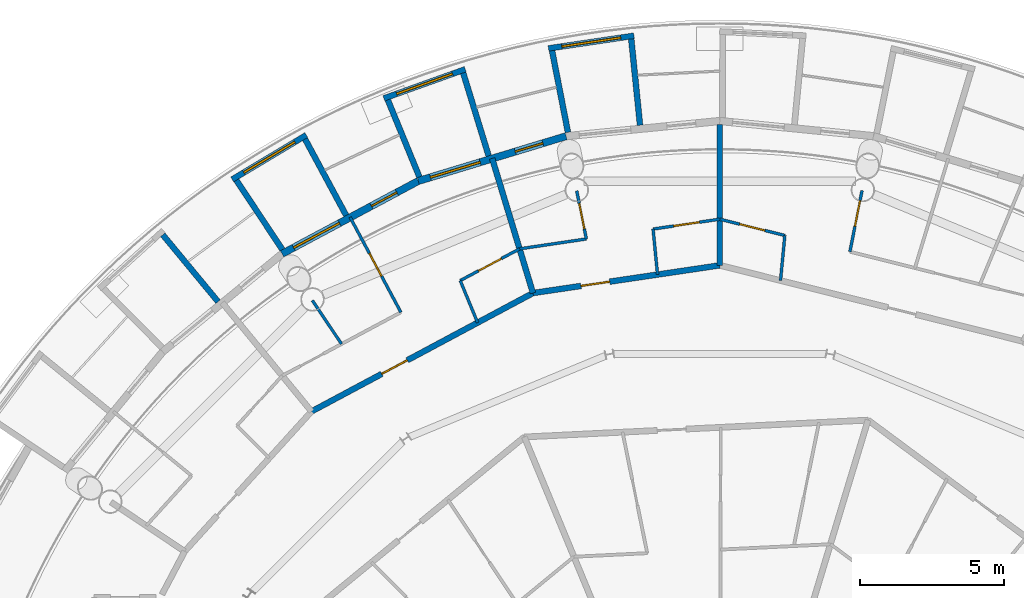
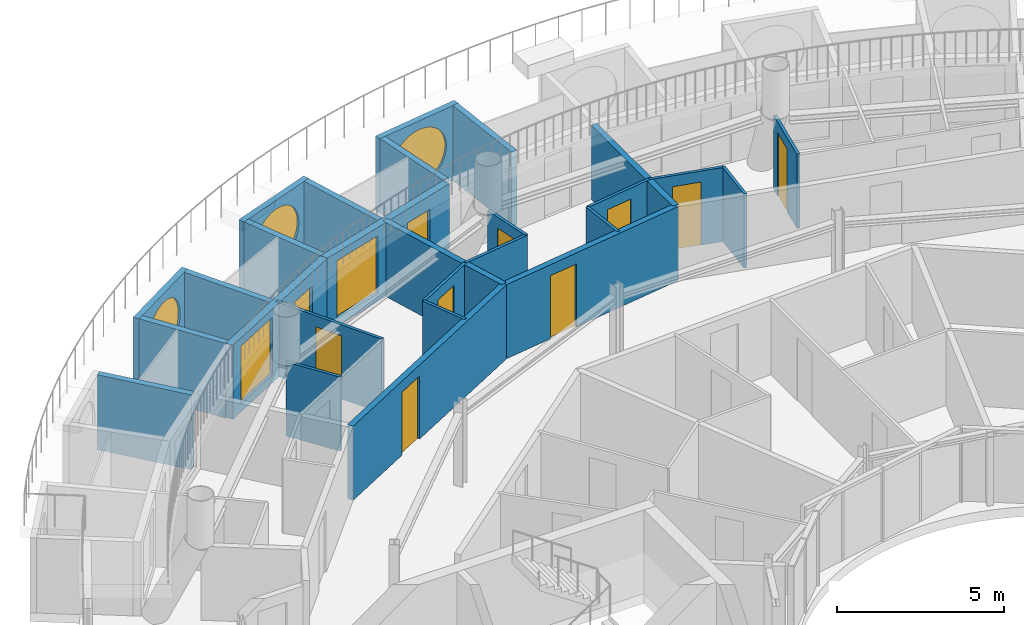
# One storey, part 21 of 29: 27 walls, 10 doors, 5 windows, 15 openings.
"""IFC4 building model written with IfcOpenShell, lengths in metres."""

from ifc_helpers import new_model, si_unit, direction, frame, frame_2d, origin, place, context, subcontext, project, spatial, rectangle, circle, extrude, material, layer, layer_set, type_object, element, fill, save


model = new_model("IFC4")

# Units and contexts
model_context = context("Model", 3, precision=1e-05, world=origin(), true_north=direction((0.0, 1.0)))
body_context = subcontext(model_context, "Body", "Model", "MODEL_VIEW")
ifc_project = project(units=[si_unit("LENGTHUNIT", "METRE"), si_unit("AREAUNIT", "SQUARE_METRE"), si_unit("VOLUMEUNIT", "CUBIC_METRE"), si_unit("PLANEANGLEUNIT", "RADIAN"), si_unit("MASSUNIT", "GRAM", prefix="KILO")], contexts=[model_context])

# Site, building, storey
site_placement = place(None, origin())
site = spatial("IfcSite", under=ifc_project, at=site_placement, CompositionType="ELEMENT")
building_placement = place(site_placement, origin())
building = spatial("IfcBuilding", under=site, at=building_placement, Name="Maasbend Ring Residences", CompositionType="ELEMENT")
storey_placement = place(building_placement, frame((0.0, 0.0, 234.050048828125)))
storey = spatial("IfcBuildingStorey", under=building, at=storey_placement, Name="L67", CompositionType="ELEMENT", Elevation=234.050048828125)

# Wall, opening, door
ifc_material_1 = material(Name="Concrete C30/37", Category="concrete")
ifc_layer_1 = layer(ifc_material_1, 0.199951171875)
ifc_layer_set_1 = layer_set([ifc_layer_1], Name="Concrete C30/37")
wall_type_1 = type_object("IfcWallType", Name="CORRIDOR WALL 200 CONCRETE", PredefinedType="PARTITIONING", material=ifc_layer_set_1)
wall_1_placement = place(storey_placement, frame((-14.14892578125, 17.236083984375, 0.0), z_axis=(0.0, 0.0, 1.0), x_axis=(0.881869539497, 0.471493494448, 0.0)))
wall_1 = element("IfcWall", 1, at=wall_1_placement, inside=storey, type_object=wall_type_1, Name="U-L67-w111", PredefinedType="PARTITIONING", context=body_context, shape_type="SweptSolid", body=[
    extrude(rectangle(XDim=8.704345703125, YDim=0.199951171875, at=frame_2d((4.35205078125, 0.0))), origin(), (0.0, 0.0, 1.0), 2.699951171875),
])
opening_1_placement = place(wall_1_placement, frame((2.764892578125, 0.0, 0.0)))
opening_1 = element("IfcOpeningElement", 2, at=opening_1_placement, cuts=wall_1, Name="Opening D-6714", PredefinedType="OPENING", context=body_context, shape_type="SweptSolid", body=[
    extrude(rectangle(XDim=1.0, YDim=2.300048828125, at=frame_2d((0.5, 1.14990234375))), frame((0.0, 0.10986328125, 0.0), z_axis=(0.0, -1.0, 0.0), x_axis=(1.0, 0.0, 0.0)), (0.0, 0.0, 1.0), 0.219970703125),
])
ifc_material_2 = material(Name="Timber, fire-rated, painted", Category="wood")
door_type_1 = type_object("IfcDoorType", Name="FLAT ENTRANCE DOOR 1000 X 2300 FIRE-RATED", OperationType="NOTDEFINED", PredefinedType="DOOR", material=ifc_material_2)
door_1_placement = place(opening_1_placement, origin())
door_1 = element("IfcDoor", 3, at=door_1_placement, inside=storey, type_object=door_type_1, Name="D-6714", OperationType="SINGLE_SWING_LEFT", OverallHeight=2.300048828125, OverallWidth=1.0, PredefinedType="DOOR", context=body_context, shape_type="SweptSolid", body=[
    extrude(rectangle(XDim=1.0, YDim=2.300048828125, at=frame_2d((0.5, 1.14990234375))), frame((0.0, 0.02490234375, 0.0), z_axis=(0.0, -1.0, 0.0), x_axis=(1.0, 0.0, 0.0)), (0.0, 0.0, 1.0), 0.050048828125),
])
fill(opening_1, door_1)

wall_2_placement = place(storey_placement, frame((-6.472900390625, 21.340087890625, 0.0), z_axis=(0.0, 0.0, 1.0), x_axis=(0.989181015112, 0.146700100005, 0.0)))
wall_2 = element("IfcWall", 4, at=wall_2_placement, inside=storey, type_object=wall_type_1, Name="U-L67-w113", PredefinedType="PARTITIONING", context=body_context, shape_type="SweptSolid", body=[
    extrude(rectangle(XDim=6.543701171875, YDim=0.199951171875, at=frame_2d((3.27197265625, 0.0))), origin(), (0.0, 0.0, 1.0), 2.699951171875),
])
opening_2_placement = place(wall_2_placement, frame((1.680908203125, 0.0, 0.0)))
opening_2 = element("IfcOpeningElement", 5, at=opening_2_placement, cuts=wall_2, Name="Opening D-6711", PredefinedType="OPENING", context=body_context, shape_type="SweptSolid", body=[
    extrude(rectangle(XDim=1.0, YDim=2.300048828125, at=frame_2d((0.5, 1.14990234375))), frame((0.0, 0.10986328125, 0.0), z_axis=(0.0, -1.0, 0.0), x_axis=(1.0, 0.0, 0.0)), (0.0, 0.0, 1.0), 0.219970703125),
])
door_2_placement = place(opening_2_placement, origin())
door_2 = element("IfcDoor", 6, at=door_2_placement, inside=storey, type_object=door_type_1, Name="D-6711", OperationType="SINGLE_SWING_LEFT", OverallHeight=2.300048828125, OverallWidth=1.0, PredefinedType="DOOR", context=body_context, shape_type="SweptSolid", body=[
    extrude(rectangle(XDim=1.0, YDim=2.300048828125, at=frame_2d((0.5, 1.14990234375))), frame((0.0, 0.02490234375, 0.0), z_axis=(0.0, -1.0, 0.0), x_axis=(1.0, 0.0, 0.0)), (0.0, 0.0, 1.0), 0.050048828125),
])
fill(opening_2, door_2)

# Wall, opening, window
ifc_material_3 = material(Name="Pale anodised aluminium panel", Category="aluminium")
ifc_layer_2 = layer(ifc_material_3, 0.199951171875)
ifc_layer_set_2 = layer_set([ifc_layer_2], Name="EW-BOX")
wall_type_2 = type_object("IfcWallType", Name="EW-BOX", PredefinedType="SOLIDWALL", material=ifc_layer_set_2)
wall_3_placement = place(storey_placement, frame((-2.97509765625, 30.25390625, -0.030029296875), z_axis=(0.0, 0.0, 1.0), x_axis=(-0.989188568008, -0.146649162704, 0.0)))
wall_3 = element("IfcWall", 7, at=wall_3_placement, inside=storey, type_object=wall_type_2, Name="Box front N12", PredefinedType="SOLIDWALL", context=body_context, shape_type="SweptSolid", body=[
    extrude(rectangle(XDim=2.993408203125, YDim=0.199951171875, at=frame_2d((1.49658203125, 0.0))), origin(), (0.0, 0.0, 1.0), 2.72998046875),
])
opening_3_placement = place(wall_3_placement, frame((0.45654296875, 0.0, 0.330078125)))
opening_3 = element("IfcOpeningElement", 8, at=opening_3_placement, cuts=wall_3, Name="Opening W-RD", PredefinedType="OPENING", context=body_context, shape_type="SweptSolid", body=[
    extrude(circle(Radius=1.0400390625, at=frame_2d((1.0400390625, 1.0400390625))), frame((0.0, 0.10986328125, 0.0), z_axis=(0.0, -1.0, 0.0), x_axis=(1.0, 0.0, 0.0)), (0.0, 0.0, 1.0), 0.219970703125),
])
ifc_material_4 = material(Name="Aluminium and clear glass", Category="aluminium")
window_type_1 = type_object("IfcWindowType", Name="W-RD", PartitioningType="SINGLE_PANEL", PredefinedType="WINDOW", material=ifc_material_4)
window_1_placement = place(opening_3_placement, origin())
window_1 = element("IfcWindow", 9, at=window_1_placement, inside=storey, type_object=window_type_1, Name="Round window N12", OverallHeight=2.080078125, OverallWidth=2.080078125, PartitioningType="SINGLE_PANEL", PredefinedType="WINDOW", context=body_context, shape_type="SweptSolid", body=[
    extrude(circle(Radius=1.0400390625, at=frame_2d((1.0400390625, 1.0400390625))), frame((0.0, 0.030029296875, 0.0), z_axis=(0.0, -1.0, 0.0), x_axis=(1.0, 0.0, 0.0)), (0.0, 0.0, 1.0), 0.06005859375),
])
fill(opening_3, window_1)

# Walls
wall_4_placement = place(storey_placement, frame((-2.763916015625, 27.153076171875, -0.030029296875), z_axis=(0.0, 0.0, 1.0), x_axis=(-0.101505487237, 0.994834979311, 0.0)))
element("IfcWall", 10, at=wall_4_placement, inside=storey, type_object=wall_type_2, Name="Box side wall N12 left", PredefinedType="SOLIDWALL", context=body_context, shape_type="SweptSolid", body=[
    extrude(rectangle(XDim=3.006591796875, YDim=0.199951171875, at=frame_2d((1.50341796875, 0.0))), origin(), (0.0, 0.0, 1.0), 2.72998046875),
])
wall_5_placement = place(storey_placement, frame((-5.260986328125, 26.906982421875, -0.030029296875), z_axis=(0.0, 0.0, 1.0), x_axis=(-0.191440729923, 0.981504175705, 0.0)))
element("IfcWall", 11, at=wall_5_placement, inside=storey, type_object=wall_type_2, Name="Box side wall N12 right", PredefinedType="SOLIDWALL", context=body_context, shape_type="SweptSolid", body=[
    extrude(rectangle(XDim=2.88330078125, YDim=0.199951171875, at=frame_2d((1.441650390625, 0.0))), origin(), (0.0, 0.0, 1.0), 2.72998046875),
])

# Wall, opening, window
wall_6_placement = place(storey_placement, frame((-8.820068359375, 29.093017578125, -0.030029296875), z_axis=(0.0, 0.0, 1.0), x_axis=(-0.941461077774, -0.337121697664, 0.0)))
wall_6 = element("IfcWall", 12, at=wall_6_placement, inside=storey, type_object=wall_type_2, Name="Box front N14", PredefinedType="SOLIDWALL", context=body_context, shape_type="SweptSolid", body=[
    extrude(rectangle(XDim=2.9931640625, YDim=0.199951171875, at=frame_2d((1.49658203125, 0.0))), origin(), (0.0, 0.0, 1.0), 2.72998046875),
])
opening_4_placement = place(wall_6_placement, frame((0.45654296875, 0.0, 0.330078125)))
opening_4 = element("IfcOpeningElement", 13, at=opening_4_placement, cuts=wall_6, Name="Opening W-RD", PredefinedType="OPENING", context=body_context, shape_type="SweptSolid", body=[
    extrude(circle(Radius=1.0400390625, at=frame_2d((1.0400390625, 1.0400390625))), frame((0.0, 0.10986328125, 0.0), z_axis=(0.0, -1.0, 0.0), x_axis=(1.0, 0.0, 0.0)), (0.0, 0.0, 1.0), 0.219970703125),
])
window_2_placement = place(opening_4_placement, origin())
window_2 = element("IfcWindow", 14, at=window_2_placement, inside=storey, type_object=window_type_1, Name="Round window N14", OverallHeight=2.080078125, OverallWidth=2.080078125, PartitioningType="SINGLE_PANEL", PredefinedType="WINDOW", context=body_context, shape_type="SweptSolid", body=[
    extrude(circle(Radius=1.0400390625, at=frame_2d((1.0400390625, 1.0400390625))), frame((0.0, 0.030029296875, 0.0), z_axis=(0.0, -1.0, 0.0), x_axis=(1.0, 0.0, 0.0)), (0.0, 0.0, 1.0), 0.06005859375),
])
fill(opening_4, window_2)

# Walls
wall_7_placement = place(storey_placement, frame((-8.009033203125, 26.092041015625, -0.030029296875), z_axis=(0.0, 0.0, 1.0), x_axis=(-0.293406695073, 0.955987715029, 0.0)))
element("IfcWall", 15, at=wall_7_placement, inside=storey, type_object=wall_type_2, Name="Box side wall N14 left", PredefinedType="SOLIDWALL", context=body_context, shape_type="SweptSolid", body=[
    extrude(rectangle(XDim=3.00634765625, YDim=0.199951171875, at=frame_2d((1.503173828125, 0.0))), origin(), (0.0, 0.0, 1.0), 2.72998046875),
])
wall_8_placement = place(storey_placement, frame((-10.408935546875, 25.364013671875, -0.030029296875), z_axis=(0.0, 0.0, 1.0), x_axis=(-0.379509886562, 0.925187681501, 0.0)))
element("IfcWall", 16, at=wall_8_placement, inside=storey, type_object=wall_type_2, Name="Box side wall N14 right", PredefinedType="SOLIDWALL", context=body_context, shape_type="SweptSolid", body=[
    extrude(rectangle(XDim=2.882568359375, YDim=0.199951171875, at=frame_2d((1.44140625, 0.0))), origin(), (0.0, 0.0, 1.0), 2.72998046875),
])

# Wall, opening, window
wall_9_placement = place(storey_placement, frame((-14.325927734375, 26.81298828125, -0.030029296875), z_axis=(0.0, 0.0, 1.0), x_axis=(-0.857672799601, -0.51419584676, 0.0)))
wall_9 = element("IfcWall", 17, at=wall_9_placement, inside=storey, type_object=wall_type_2, Name="Box front N16", PredefinedType="SOLIDWALL", context=body_context, shape_type="SweptSolid", body=[
    extrude(rectangle(XDim=2.9931640625, YDim=0.199951171875, at=frame_2d((1.49658203125, 0.0))), origin(), (0.0, 0.0, 1.0), 2.72998046875),
])
opening_5_placement = place(wall_9_placement, frame((0.45654296875, 0.0, 0.330078125)))
opening_5 = element("IfcOpeningElement", 18, at=opening_5_placement, cuts=wall_9, Name="Opening W-RD", PredefinedType="OPENING", context=body_context, shape_type="SweptSolid", body=[
    extrude(circle(Radius=1.0400390625, at=frame_2d((1.0400390625, 1.0400390625))), frame((0.0, 0.10986328125, 0.0), z_axis=(0.0, -1.0, 0.0), x_axis=(1.0, 0.0, 0.0)), (0.0, 0.0, 1.0), 0.219970703125),
])
window_3_placement = place(opening_5_placement, origin())
window_3 = element("IfcWindow", 19, at=window_3_placement, inside=storey, type_object=window_type_1, Name="Round window N16", OverallHeight=2.080078125, OverallWidth=2.080078125, PartitioningType="SINGLE_PANEL", PredefinedType="WINDOW", context=body_context, shape_type="SweptSolid", body=[
    extrude(circle(Radius=1.0400390625, at=frame_2d((1.0400390625, 1.0400390625))), frame((0.0, 0.030029296875, 0.0), z_axis=(0.0, -1.0, 0.0), x_axis=(1.0, 0.0, 0.0)), (0.0, 0.0, 1.0), 0.06005859375),
])
fill(opening_5, window_3)

# Walls
wall_10_placement = place(storey_placement, frame((-12.945068359375, 24.029052734375, -0.030029296875), z_axis=(0.0, 0.0, 1.0), x_axis=(-0.474424310775, 0.88029629861, 0.0)))
element("IfcWall", 20, at=wall_10_placement, inside=storey, type_object=wall_type_2, Name="Box side wall N16 left", PredefinedType="SOLIDWALL", context=body_context, shape_type="SweptSolid", body=[
    extrude(rectangle(XDim=3.005859375, YDim=0.199951171875, at=frame_2d((1.5029296875, 0.0))), origin(), (0.0, 0.0, 1.0), 2.72998046875),
])
wall_11_placement = place(storey_placement, frame((-15.156982421875, 22.845947265625, -0.030029296875), z_axis=(0.0, 0.0, 1.0), x_axis=(-0.552529231086, 0.833493520548, 0.0)))
element("IfcWall", 21, at=wall_11_placement, inside=storey, type_object=wall_type_2, Name="Box side wall N16 right", PredefinedType="SOLIDWALL", context=body_context, shape_type="SweptSolid", body=[
    extrude(rectangle(XDim=2.883056640625, YDim=0.199951171875, at=frame_2d((1.44140625, 0.0))), origin(), (0.0, 0.0, 1.0), 2.72998046875),
])
wall_12_placement = place(storey_placement, frame((-17.384033203125, 21.041015625, -0.030029296875), z_axis=(0.0, 0.0, 1.0), x_axis=(-0.63709551667, 0.770784861449, 0.0)))
element("IfcWall", 22, at=wall_12_placement, inside=storey, type_object=wall_type_2, Name="Box side wall N18 left", PredefinedType="SOLIDWALL", context=body_context, shape_type="SweptSolid", body=[
    extrude(rectangle(XDim=3.005859375, YDim=0.199951171875, at=frame_2d((1.5029296875, 0.0))), origin(), (0.0, 0.0, 1.0), 2.72998046875),
])

# Wall, openings, door, window
ifc_material_5 = material(Name="Aluminium clad insulated panel", Category="aluminium")
ifc_layer_3 = layer(ifc_material_5, 0.25)
ifc_layer_set_3 = layer_set([ifc_layer_3], Name="EW-GL")
wall_type_3 = type_object("IfcWallType", Name="EW-GL", PredefinedType="SOLIDWALL", material=ifc_layer_set_3)
wall_13_placement = place(storey_placement, frame((-5.325927734375, 26.77490234375, 0.0), z_axis=(0.0, 0.0, 1.0), x_axis=(-0.956965678721, -0.290201119486, 0.0)))
wall_13 = element("IfcWall", 23, at=wall_13_placement, inside=storey, type_object=wall_type_3, Name="External wall N07", PredefinedType="SOLIDWALL", context=body_context, shape_type="SweptSolid", body=[
    extrude(rectangle(XDim=5.351318359375, YDim=0.25, at=frame_2d((2.67578125, 0.0))), origin(), (0.0, 0.0, 1.0), 2.699951171875),
])
opening_6_placement = place(wall_13_placement, frame((0.841064453125, 0.0, 0.0)))
opening_6 = element("IfcOpeningElement", 24, at=opening_6_placement, cuts=wall_13, Name="Opening D-LG", PredefinedType="OPENING", context=body_context, shape_type="SweptSolid", body=[
    extrude(rectangle(XDim=1.0, YDim=2.199951171875, at=frame_2d((0.5, 1.10009765625))), frame((0.0, 0.135009765625, 0.0), z_axis=(0.0, -1.0, 0.0), x_axis=(1.0, 0.0, 0.0)), (0.0, 0.0, 1.0), 0.27001953125),
])
opening_7_placement = place(wall_13_placement, frame((3.110595703125, 0.0, 0.300048828125)))
opening_7 = element("IfcOpeningElement", 25, at=opening_7_placement, cuts=wall_13, Name="Opening W-BX", PredefinedType="OPENING", context=body_context, shape_type="SweptSolid", body=[
    extrude(rectangle(XDim=1.800048828125, YDim=2.10009765625, at=frame_2d((0.89990234375, 1.050048828125))), frame((0.0, 0.135009765625, 0.0), z_axis=(0.0, -1.0, 0.0), x_axis=(1.0, 0.0, 0.0)), (0.0, 0.0, 1.0), 0.27001953125),
])
ifc_material_6 = material(Name="Aluminium and clear glass", Category="aluminium")
door_type_2 = type_object("IfcDoorType", Name="D-LG", OperationType="SINGLE_SWING_LEFT", PredefinedType="DOOR", material=ifc_material_6)
door_3_placement = place(opening_6_placement, origin())
door_3 = element("IfcDoor", 26, at=door_3_placement, inside=storey, type_object=door_type_2, Name="Loggia door N13", OperationType="SINGLE_SWING_LEFT", OverallHeight=2.199951171875, OverallWidth=1.0, PredefinedType="DOOR", context=body_context, shape_type="SweptSolid", body=[
    extrude(rectangle(XDim=1.0, YDim=2.199951171875, at=frame_2d((0.5, 1.10009765625))), frame((0.0, 0.02490234375, 0.0), z_axis=(0.0, -1.0, 0.0), x_axis=(1.0, 0.0, 0.0)), (0.0, 0.0, 1.0), 0.050048828125),
])
fill(opening_6, door_3)
ifc_material_7 = material(Name="Aluminium and clear glass", Category="aluminium")
window_type_2 = type_object("IfcWindowType", Name="W-BX", PartitioningType="DOUBLE_PANEL_VERTICAL", PredefinedType="WINDOW", material=ifc_material_7)
window_4_placement = place(opening_7_placement, origin())
window_4 = element("IfcWindow", 27, at=window_4_placement, inside=storey, type_object=window_type_2, Name="Window N14 room to box", OverallHeight=2.10009765625, OverallWidth=1.800048828125, PartitioningType="SINGLE_PANEL", PredefinedType="WINDOW", context=body_context, shape_type="SweptSolid", body=[
    extrude(rectangle(XDim=1.800048828125, YDim=2.10009765625, at=frame_2d((0.89990234375, 1.050048828125))), frame((0.0, 0.030029296875, 0.0), z_axis=(0.0, -1.0, 0.0), x_axis=(1.0, 0.0, 0.0)), (0.0, 0.0, 1.0), 0.06005859375),
])
fill(opening_7, window_4)

wall_14_placement = place(storey_placement, frame((-10.447021484375, 25.221923828125, 0.0), z_axis=(0.0, 0.0, 1.0), x_axis=(-0.881915646801, -0.471407246368, 0.0)))
wall_14 = element("IfcWall", 28, at=wall_14_placement, inside=storey, type_object=wall_type_3, Name="External wall N08", PredefinedType="SOLIDWALL", context=body_context, shape_type="SweptSolid", body=[
    extrude(rectangle(XDim=5.35205078125, YDim=0.25, at=frame_2d((2.676025390625, 0.0))), origin(), (0.0, 0.0, 1.0), 2.699951171875),
])
opening_8_placement = place(wall_14_placement, frame((0.841064453125, 0.0, 0.0)))
opening_8 = element("IfcOpeningElement", 29, at=opening_8_placement, cuts=wall_14, Name="Opening D-LG", PredefinedType="OPENING", context=body_context, shape_type="SweptSolid", body=[
    extrude(rectangle(XDim=1.0, YDim=2.199951171875, at=frame_2d((0.5, 1.10009765625))), frame((0.0, 0.135009765625, 0.0), z_axis=(0.0, -1.0, 0.0), x_axis=(1.0, 0.0, 0.0)), (0.0, 0.0, 1.0), 0.27001953125),
])
opening_9_placement = place(wall_14_placement, frame((3.095947265625, 0.0, 0.300048828125)))
opening_9 = element("IfcOpeningElement", 30, at=opening_9_placement, cuts=wall_14, Name="Opening W-BX", PredefinedType="OPENING", context=body_context, shape_type="SweptSolid", body=[
    extrude(rectangle(XDim=1.800048828125, YDim=2.10009765625, at=frame_2d((0.89990234375, 1.050048828125))), frame((0.0, 0.135009765625, 0.0), z_axis=(0.0, -1.0, 0.0), x_axis=(1.0, 0.0, 0.0)), (0.0, 0.0, 1.0), 0.27001953125),
])
door_4_placement = place(opening_8_placement, origin())
door_4 = element("IfcDoor", 31, at=door_4_placement, inside=storey, type_object=door_type_2, Name="Loggia door N15", OperationType="SINGLE_SWING_LEFT", OverallHeight=2.199951171875, OverallWidth=1.0, PredefinedType="DOOR", context=body_context, shape_type="SweptSolid", body=[
    extrude(rectangle(XDim=1.0, YDim=2.199951171875, at=frame_2d((0.5, 1.10009765625))), frame((0.0, 0.02490234375, 0.0), z_axis=(0.0, -1.0, 0.0), x_axis=(1.0, 0.0, 0.0)), (0.0, 0.0, 1.0), 0.050048828125),
])
fill(opening_8, door_4)
window_5_placement = place(opening_9_placement, origin())
window_5 = element("IfcWindow", 32, at=window_5_placement, inside=storey, type_object=window_type_2, Name="Window N16 room to box", OverallHeight=2.10009765625, OverallWidth=1.800048828125, PartitioningType="SINGLE_PANEL", PredefinedType="WINDOW", context=body_context, shape_type="SweptSolid", body=[
    extrude(rectangle(XDim=1.800048828125, YDim=2.10009765625, at=frame_2d((0.89990234375, 1.050048828125))), frame((0.0, 0.030029296875, 0.0), z_axis=(0.0, -1.0, 0.0), x_axis=(1.0, 0.0, 0.0)), (0.0, 0.0, 1.0), 0.06005859375),
])
fill(opening_9, window_5)

# Wall
ifc_material_8 = material(Name="Gypsum board on steel studs", Category="steel")
ifc_layer_4 = layer(ifc_material_8, 0.10009765625)
ifc_layer_set_4 = layer_set([ifc_layer_4], Name="PARTITION 100 GYPSUM")
wall_type_4 = type_object("IfcWallType", Name="PARTITION 100 GYPSUM", PredefinedType="PARTITIONING", material=ifc_layer_set_4)
wall_15_placement = place(storey_placement, frame((-14.116943359375, 21.083984375, 0.0), z_axis=(0.0, 0.0, 1.0), x_axis=(0.556342315305, -0.830953204579, 0.0)))
element("IfcWall", 33, at=wall_15_placement, inside=storey, type_object=wall_type_4, Name="U-L67-w046", PredefinedType="PARTITIONING", context=body_context, shape_type="SweptSolid", body=[
    extrude(rectangle(XDim=1.817138671875, YDim=0.10009765625, at=frame_2d((0.90869140625, 0.0))), origin(), (0.0, 0.0, 1.0), 2.699951171875),
])

# Wall, opening, door
wall_16_placement = place(storey_placement, frame((-12.81005859375, 23.966064453125, 0.0), z_axis=(0.0, 0.0, 1.0), x_axis=(0.471372010014, -0.881934480659, 0.0)))
wall_16 = element("IfcWall", 34, at=wall_16_placement, inside=storey, type_object=wall_type_4, Name="U-L67-w049", PredefinedType="PARTITIONING", context=body_context, shape_type="SweptSolid", body=[
    extrude(rectangle(XDim=3.73388671875, YDim=0.10009765625, at=frame_2d((1.866943359375, 0.0))), origin(), (0.0, 0.0, 1.0), 2.699951171875),
])
opening_10_placement = place(wall_16_placement, frame((1.4169921875, 0.0, 0.0)))
opening_10 = element("IfcOpeningElement", 35, at=opening_10_placement, cuts=wall_16, Name="Opening D-6716", PredefinedType="OPENING", context=body_context, shape_type="SweptSolid", body=[
    extrude(rectangle(XDim=0.89990234375, YDim=2.300048828125, at=frame_2d((0.449951171875, 1.14990234375))), frame((0.0, 0.06005859375, 0.0), z_axis=(0.0, -1.0, 0.0), x_axis=(1.0, 0.0, 0.0)), (0.0, 0.0, 1.0), 0.1201171875),
])
ifc_material_9 = material(Name="Timber, painted", Category="wood")
door_type_3 = type_object("IfcDoorType", Name="INTERNAL DOOR 900 X 2300", OperationType="NOTDEFINED", PredefinedType="DOOR", material=ifc_material_9)
door_5_placement = place(opening_10_placement, origin())
door_5 = element("IfcDoor", 36, at=door_5_placement, inside=storey, type_object=door_type_3, Name="D-6716", OperationType="SINGLE_SWING_RIGHT", OverallHeight=2.300048828125, OverallWidth=0.89990234375, PredefinedType="DOOR", context=body_context, shape_type="SweptSolid", body=[
    extrude(rectangle(XDim=0.89990234375, YDim=2.300048828125, at=frame_2d((0.449951171875, 1.14990234375))), frame((0.0, 0.02490234375, 0.0), z_axis=(0.0, -1.0, 0.0), x_axis=(1.0, 0.0, 0.0)), (0.0, 0.0, 1.0), 0.050048828125),
])
fill(opening_10, door_5)

# Wall
wall_17_placement = place(storey_placement, frame((-8.993896484375, 21.77197265625, 0.0), z_axis=(0.0, 0.0, 1.0), x_axis=(0.381535938362, -0.924354005638, 0.0)))
element("IfcWall", 37, at=wall_17_placement, inside=storey, type_object=wall_type_4, Name="U-L67-w054", PredefinedType="PARTITIONING", context=body_context, shape_type="SweptSolid", body=[
    extrude(rectangle(XDim=1.577392578125, YDim=0.10009765625, at=frame_2d((0.78857421875, 0.0))), origin(), (0.0, 0.0, 1.0), 2.699951171875),
])

# Wall, opening, door
wall_18_placement = place(storey_placement, frame((-4.9580078125, 24.884033203125, 0.0), z_axis=(0.0, 0.0, 1.0), x_axis=(0.195564658552, -0.980690809749, 0.0)))
wall_18 = element("IfcWall", 38, at=wall_18_placement, inside=storey, type_object=wall_type_4, Name="U-L67-w060", PredefinedType="PARTITIONING", context=body_context, shape_type="SweptSolid", body=[
    extrude(rectangle(XDim=1.702880859375, YDim=0.10009765625, at=frame_2d((0.8515625, 0.0))), origin(), (0.0, 0.0, 1.0), 2.699951171875),
])
opening_11_placement = place(wall_18_placement, frame((0.447998046875, 0.0, 0.0)))
opening_11 = element("IfcOpeningElement", 39, at=opening_11_placement, cuts=wall_18, Name="Opening D-6713", PredefinedType="OPENING", context=body_context, shape_type="SweptSolid", body=[
    extrude(rectangle(XDim=0.89990234375, YDim=2.300048828125, at=frame_2d((0.449951171875, 1.14990234375))), frame((0.0, 0.06005859375, 0.0), z_axis=(0.0, -1.0, 0.0), x_axis=(1.0, 0.0, 0.0)), (0.0, 0.0, 1.0), 0.1201171875),
])
door_6_placement = place(opening_11_placement, origin())
door_6 = element("IfcDoor", 40, at=door_6_placement, inside=storey, type_object=door_type_3, Name="D-6713", OperationType="SINGLE_SWING_RIGHT", OverallHeight=2.300048828125, OverallWidth=0.89990234375, PredefinedType="DOOR", context=body_context, shape_type="SweptSolid", body=[
    extrude(rectangle(XDim=0.89990234375, YDim=2.300048828125, at=frame_2d((0.449951171875, 1.14990234375))), frame((0.0, 0.02490234375, 0.0), z_axis=(0.0, -1.0, 0.0), x_axis=(1.0, 0.0, 0.0)), (0.0, 0.0, 1.0), 0.050048828125),
])
fill(opening_11, door_6)

# Walls
wall_19_placement = place(storey_placement, frame((-2.31298828125, 23.556884765625, 0.0), z_axis=(0.0, 0.0, 1.0), x_axis=(0.097840737576, -0.995202085041, 0.0)))
element("IfcWall", 41, at=wall_19_placement, inside=storey, type_object=wall_type_4, Name="U-L67-w064", PredefinedType="PARTITIONING", context=body_context, shape_type="SweptSolid", body=[
    extrude(rectangle(XDim=1.58447265625, YDim=0.10009765625, at=frame_2d((0.792236328125, 0.0))), origin(), (0.0, 0.0, 1.0), 2.699951171875),
])
wall_20_placement = place(storey_placement, frame((2.10205078125, 21.77294921875, 0.0), z_axis=(0.0, 0.0, 1.0), x_axis=(0.09608568494, 0.995373066317, 0.0)))
element("IfcWall", 42, at=wall_20_placement, inside=storey, type_object=wall_type_4, Name="U-L67-w071", PredefinedType="PARTITIONING", context=body_context, shape_type="SweptSolid", body=[
    extrude(rectangle(XDim=1.5703125, YDim=0.10009765625, at=frame_2d((0.78515625, 0.0))), origin(), (0.0, 0.0, 1.0), 2.699951171875),
])

# Wall, opening, door
wall_21_placement = place(storey_placement, frame((4.507080078125, 22.77099609375, 0.0), z_axis=(0.0, 0.0, 1.0), x_axis=(0.193963698758, 0.981008707181, 0.0)))
wall_21 = element("IfcWall", 43, at=wall_21_placement, inside=storey, type_object=wall_type_4, Name="U-L67-w074", PredefinedType="PARTITIONING", context=body_context, shape_type="SweptSolid", body=[
    extrude(rectangle(XDim=2.159912109375, YDim=0.10009765625, at=frame_2d((1.080078125, 0.0))), origin(), (0.0, 0.0, 1.0), 2.699951171875),
])
opening_12_placement = place(wall_21_placement, frame((0.89990234375, 0.0, 0.0)))
opening_12 = element("IfcOpeningElement", 44, at=opening_12_placement, cuts=wall_21, Name="Opening D-6708", PredefinedType="OPENING", context=body_context, shape_type="SweptSolid", body=[
    extrude(rectangle(XDim=0.89990234375, YDim=2.300048828125, at=frame_2d((0.449951171875, 1.14990234375))), frame((0.0, 0.06005859375, 0.0), z_axis=(0.0, -1.0, 0.0), x_axis=(1.0, 0.0, 0.0)), (0.0, 0.0, 1.0), 0.1201171875),
])
door_7_placement = place(opening_12_placement, origin())
door_7 = element("IfcDoor", 45, at=door_7_placement, inside=storey, type_object=door_type_3, Name="D-6708", OperationType="SINGLE_SWING_RIGHT", OverallHeight=2.300048828125, OverallWidth=0.89990234375, PredefinedType="DOOR", context=body_context, shape_type="SweptSolid", body=[
    extrude(rectangle(XDim=0.89990234375, YDim=2.300048828125, at=frame_2d((0.449951171875, 1.14990234375))), frame((0.0, 0.02490234375, 0.0), z_axis=(0.0, -1.0, 0.0), x_axis=(1.0, 0.0, 0.0)), (0.0, 0.0, 1.0), 0.050048828125),
])
fill(opening_12, door_7)

wall_22_placement = place(storey_placement, frame((0.0029296875, 23.89892578125, 0.0), z_axis=(0.0, 0.0, 1.0), x_axis=(0.970074448647, -0.242807668911, 0.0)))
wall_22 = element("IfcWall", 46, at=wall_22_placement, inside=storey, type_object=wall_type_4, Name="U-L67-w116", PredefinedType="PARTITIONING", context=body_context, shape_type="SweptSolid", body=[
    extrude(rectangle(XDim=2.32275390625, YDim=0.10009765625, at=frame_2d((1.161376953125, 0.0))), origin(), (0.0, 0.0, 1.0), 2.699951171875),
])
opening_13_placement = place(wall_22_placement, frame((0.7080078125, 0.0, 0.0)))
opening_13 = element("IfcOpeningElement", 47, at=opening_13_placement, cuts=wall_22, Name="Opening D-6707", PredefinedType="OPENING", context=body_context, shape_type="SweptSolid", body=[
    extrude(rectangle(XDim=0.89990234375, YDim=2.300048828125, at=frame_2d((0.449951171875, 1.14990234375))), frame((0.0, 0.06005859375, 0.0), z_axis=(0.0, -1.0, 0.0), x_axis=(1.0, 0.0, 0.0)), (0.0, 0.0, 1.0), 0.1201171875),
])
door_8_placement = place(opening_13_placement, origin())
door_8 = element("IfcDoor", 48, at=door_8_placement, inside=storey, type_object=door_type_3, Name="D-6707", OperationType="SINGLE_SWING_LEFT", OverallHeight=2.300048828125, OverallWidth=0.89990234375, PredefinedType="DOOR", context=body_context, shape_type="SweptSolid", body=[
    extrude(rectangle(XDim=0.89990234375, YDim=2.300048828125, at=frame_2d((0.449951171875, 1.14990234375))), frame((0.0, 0.02490234375, 0.0), z_axis=(0.0, -1.0, 0.0), x_axis=(1.0, 0.0, 0.0)), (0.0, 0.0, 1.0), 0.050048828125),
])
fill(opening_13, door_8)

wall_23_placement = place(storey_placement, frame((-8.993896484375, 21.77197265625, 0.0), z_axis=(0.0, 0.0, 1.0), x_axis=(0.881882873346, 0.471468554305, 0.0)))
wall_23 = element("IfcWall", 49, at=wall_23_placement, inside=storey, type_object=wall_type_4, Name="U-L67-w121", PredefinedType="PARTITIONING", context=body_context, shape_type="SweptSolid", body=[
    extrude(rectangle(XDim=2.331298828125, YDim=0.10009765625, at=frame_2d((1.16552734375, 0.0))), origin(), (0.0, 0.0, 1.0), 2.699951171875),
])
opening_14_placement = place(wall_23_placement, frame((0.716064453125, 0.0, 0.0)))
opening_14 = element("IfcOpeningElement", 50, at=opening_14_placement, cuts=wall_23, Name="Opening D-6715", PredefinedType="OPENING", context=body_context, shape_type="SweptSolid", body=[
    extrude(rectangle(XDim=0.89990234375, YDim=2.300048828125, at=frame_2d((0.449951171875, 1.14990234375))), frame((0.0, 0.06005859375, 0.0), z_axis=(0.0, -1.0, 0.0), x_axis=(1.0, 0.0, 0.0)), (0.0, 0.0, 1.0), 0.1201171875),
])
door_9_placement = place(opening_14_placement, origin())
door_9 = element("IfcDoor", 51, at=door_9_placement, inside=storey, type_object=door_type_3, Name="D-6715", OperationType="SINGLE_SWING_LEFT", OverallHeight=2.300048828125, OverallWidth=0.89990234375, PredefinedType="DOOR", context=body_context, shape_type="SweptSolid", body=[
    extrude(rectangle(XDim=0.89990234375, YDim=2.300048828125, at=frame_2d((0.449951171875, 1.14990234375))), frame((0.0, 0.02490234375, 0.0), z_axis=(0.0, -1.0, 0.0), x_axis=(1.0, 0.0, 0.0)), (0.0, 0.0, 1.0), 0.050048828125),
])
fill(opening_14, door_9)

# Wall
wall_24_placement = place(storey_placement, frame((-6.93798828125, 22.87109375, 0.0), z_axis=(0.0, 0.0, 1.0), x_axis=(0.989181588285, 0.146696235121, 0.0)))
element("IfcWall", 52, at=wall_24_placement, inside=storey, type_object=wall_type_4, Name="U-L67-w124", PredefinedType="PARTITIONING", context=body_context, shape_type="SweptSolid", body=[
    extrude(rectangle(XDim=2.33837890625, YDim=0.10009765625, at=frame_2d((1.169189453125, 0.0))), origin(), (0.0, 0.0, 1.0), 2.699951171875),
])

# Wall, opening, door
wall_25_placement = place(storey_placement, frame((-2.31298828125, 23.556884765625, 0.0), z_axis=(0.0, 0.0, 1.0), x_axis=(0.989181588285, 0.146696235121, 0.0)))
wall_25 = element("IfcWall", 53, at=wall_25_placement, inside=storey, type_object=wall_type_4, Name="U-L67-w125", PredefinedType="PARTITIONING", context=body_context, shape_type="SweptSolid", body=[
    extrude(rectangle(XDim=2.33837890625, YDim=0.10009765625, at=frame_2d((1.169189453125, 0.0))), origin(), (0.0, 0.0, 1.0), 2.699951171875),
])
opening_15_placement = place(wall_25_placement, frame((0.718994140625, 0.0, 0.0)))
opening_15 = element("IfcOpeningElement", 54, at=opening_15_placement, cuts=wall_25, Name="Opening D-6712", PredefinedType="OPENING", context=body_context, shape_type="SweptSolid", body=[
    extrude(rectangle(XDim=0.89990234375, YDim=2.300048828125, at=frame_2d((0.449951171875, 1.14990234375))), frame((0.0, 0.06005859375, 0.0), z_axis=(0.0, -1.0, 0.0), x_axis=(1.0, 0.0, 0.0)), (0.0, 0.0, 1.0), 0.1201171875),
])
door_10_placement = place(opening_15_placement, origin())
door_10 = element("IfcDoor", 55, at=door_10_placement, inside=storey, type_object=door_type_3, Name="D-6712", OperationType="SINGLE_SWING_LEFT", OverallHeight=2.300048828125, OverallWidth=0.89990234375, PredefinedType="DOOR", context=body_context, shape_type="SweptSolid", body=[
    extrude(rectangle(XDim=0.89990234375, YDim=2.300048828125, at=frame_2d((0.449951171875, 1.14990234375))), frame((0.0, 0.02490234375, 0.0), z_axis=(0.0, -1.0, 0.0), x_axis=(1.0, 0.0, 0.0)), (0.0, 0.0, 1.0), 0.050048828125),
])
fill(opening_15, door_10)

# Walls
ifc_material_10 = material(Name="Concrete C30/37", Category="concrete")
ifc_layer_5 = layer(ifc_material_10, 0.199951171875)
ifc_layer_set_5 = layer_set([ifc_layer_5], Name="Concrete C30/37")
wall_type_5 = type_object("IfcWallType", Name="PARTY WALL 200 CONCRETE", PredefinedType="PARTITIONING", material=ifc_layer_set_5)
wall_26_placement = place(storey_placement, frame((-7.887939453125, 26.0048828125, 0.0), z_axis=(0.0, 0.0, 1.0), x_axis=(0.290053269332, -0.957010502006, 0.0)))
element("IfcWall", 56, at=wall_26_placement, inside=storey, type_object=wall_type_5, Name="U-L67-w056", PredefinedType="PARTITIONING", context=body_context, shape_type="SweptSolid", body=[
    extrude(rectangle(XDim=4.874267578125, YDim=0.199951171875, at=frame_2d((2.43701171875, 0.0))), origin(), (0.0, 0.0, 1.0), 2.699951171875),
])
wall_27_placement = place(storey_placement, frame((0.0, 22.300048828125, 0.0), z_axis=(0.0, 0.0, 1.0), x_axis=(0.0, 1.0, 0.0)))
element("IfcWall", 57, at=wall_27_placement, inside=storey, type_object=wall_type_5, Name="U-L67-w068", PredefinedType="PARTITIONING", context=body_context, shape_type="SweptSolid", body=[
    extrude(rectangle(XDim=4.875, YDim=0.199951171875, at=frame_2d((2.4375, 0.0))), origin(), (0.0, 0.0, 1.0), 2.699951171875),
])

save(model, "model.ifc")
